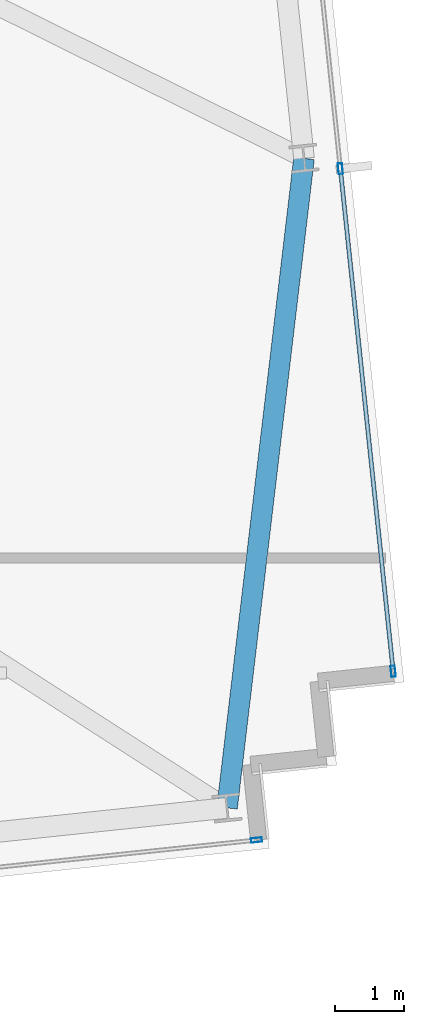
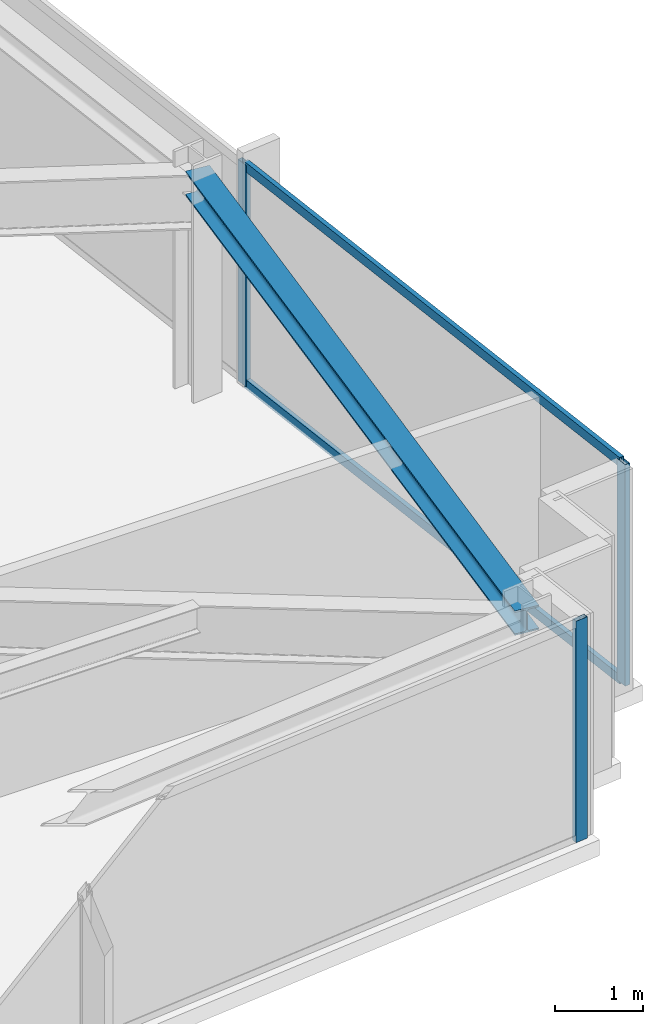
# One storey, part 17 of 33: 5 members, 1 beam, 2 elements without a shape of their own.
"""IFC4 building model written with IfcOpenShell, lengths in metres."""

from ifc_helpers import new_model, si_unit, direction, frame, origin, origin_2d, place, context, subcontext, project, spatial, hollow_rectangle, i_section, extrude, material, material_profile, profile_set, type_object, element, aggregate, save


model = new_model("IFC4")

# Units and contexts
model_context = context("Model", 3, precision=1e-05, world=origin(), true_north=direction((0.0, 1.0)))
body_context = subcontext(model_context, "Body", "Model", "MODEL_VIEW")
ifc_project = project(units=[si_unit("LENGTHUNIT", "METRE"), si_unit("AREAUNIT", "SQUARE_METRE"), si_unit("VOLUMEUNIT", "CUBIC_METRE"), si_unit("PLANEANGLEUNIT", "RADIAN"), si_unit("MASSUNIT", "GRAM", prefix="KILO")], contexts=[model_context])

# Site, building, storey
site_placement = place(None, origin())
site = spatial("IfcSite", under=ifc_project, at=site_placement, CompositionType="ELEMENT")
building_placement = place(site_placement, origin())
building = spatial("IfcBuilding", under=site, at=building_placement, Name="Yelkora Congress Tower", CompositionType="ELEMENT")
storey_placement = place(building_placement, frame((0.0, 0.0, 227.60009765625)))
storey = spatial("IfcBuildingStorey", under=building, at=storey_placement, Name="L63", CompositionType="ELEMENT", Elevation=227.60009765625)

# Beam
ifc_material_1 = material(Name="Steel S355J2", Category="steel")
ifc_material_profile_1 = material_profile(ifc_material_1, i_section(OverallWidth=0.300048828125, OverallDepth=0.340087890625, WebThickness=0.011962890625, FlangeThickness=0.021484375, FilletRadius=0.027099609375, at=origin_2d()), Name="HEB 340")
ifc_profile_set_1 = profile_set([ifc_material_profile_1], Name="Steel S355J2")
beam_type = type_object("IfcBeamType", Name="BM-SPAN-HEB340", PredefinedType="SPANDREL", material=ifc_profile_set_1)
beam_placement = place(storey_placement, frame((69.235107421875, 17.716796875, 2.909912109375), z_axis=(0.11765897357, 0.993054059928, 0.0), x_axis=(-0.993054059928, 0.11765897357, 0.0)))
element("IfcBeam", 1, at=beam_placement, inside=storey, type_object=beam_type, Name="L63 Perimeter Beam 9", PredefinedType="SPANDREL", context=body_context, shape_type="SweptSolid", body=[
    extrude(i_section(OverallWidth=0.300048828125, OverallDepth=0.340087890625, WebThickness=0.011962890625, FlangeThickness=0.021484375, FilletRadius=0.027099609375, at=origin_2d()), origin(), (0.0, 0.0, 1.0), 9.509765625),
])

# Curtain wall, members
ifc_material_2 = material(Name="Anodised aluminium and insulated glass", Category="aluminium")
curtain_wall_type = type_object("IfcCurtainWallType", Name="CW-SYS-B4", PredefinedType="NOTDEFINED", material=ifc_material_2)
curtain_wall_1_placement = place(storey_placement, origin())
curtain_wall_1 = element("IfcCurtainWall", 2, at=curtain_wall_1_placement, inside=storey, type_object=curtain_wall_type, Name="L63 Unitised Curtain Wall 15", PredefinedType="NOTDEFINED")
ifc_material_3 = material(Name="Anodised aluminium 6063-T6", Category="aluminium")
ifc_material_profile_2 = material_profile(ifc_material_3, hollow_rectangle(XDim=0.06494140625, YDim=0.159912109375, WallThickness=0.00390625, at=origin_2d()), Name="ALU 65x160x4")
ifc_profile_set_2 = profile_set([ifc_material_profile_2], Name="Anodised aluminium 6063-T6")
member_type_1 = type_object("IfcMemberType", Name="MEM-ML-B4", PredefinedType="MULLION", material=ifc_profile_set_2)
member_1_placement = place(storey_placement, frame((70.882568359375, 27.009765625, 0.0), z_axis=(0.0, 0.0, 1.0), x_axis=(0.994522182968, 0.104525726898, 0.0)))
member_1 = element("IfcMember", 3, at=member_1_placement, type_object=member_type_1, Name="CW-B4 mullion 4", PredefinedType="MULLION", context=body_context, shape_type="SweptSolid", body=[
    extrude(hollow_rectangle(XDim=0.06494140625, YDim=0.159912109375, WallThickness=0.00390625, at=origin_2d()), origin(), (0.0, 0.0, 1.0), 3.079833984375),
])
member_2_placement = place(storey_placement, frame((71.650634765625, 19.70263671875, 0.0), z_axis=(0.0, 0.0, 1.0), x_axis=(0.994522182968, 0.104525726898, 0.0)))
member_2 = element("IfcMember", 4, at=member_2_placement, type_object=member_type_1, Name="CW-B4 mullion 5", PredefinedType="MULLION", context=body_context, shape_type="SweptSolid", body=[
    extrude(hollow_rectangle(XDim=0.06494140625, YDim=0.159912109375, WallThickness=0.00390625, at=origin_2d()), origin(), (0.0, 0.0, 1.0), 3.079833984375),
])

# Curtain wall, member
curtain_wall_2_placement = place(storey_placement, origin())
curtain_wall_2 = element("IfcCurtainWall", 5, at=curtain_wall_2_placement, inside=storey, type_object=curtain_wall_type, Name="L63 Unitised Curtain Wall 20", PredefinedType="NOTDEFINED")
member_3_placement = place(storey_placement, frame((69.663818359375, 17.2490234375, 0.0), z_axis=(0.0, 0.0, 1.0), x_axis=(0.104526664994, -0.994522084373, 0.0)))
member_3 = element("IfcMember", 6, at=member_3_placement, type_object=member_type_1, Name="CW-B4 mullion 1", PredefinedType="MULLION", context=body_context, shape_type="SweptSolid", body=[
    extrude(hollow_rectangle(XDim=0.06494140625, YDim=0.159912109375, WallThickness=0.00390625, at=origin_2d()), origin(), (0.0, 0.0, 1.0), 3.079833984375),
])
aggregate(curtain_wall_2, [member_3])

# Member
ifc_material_profile_3 = material_profile(ifc_material_3, hollow_rectangle(XDim=0.06005859375, YDim=0.1298828125, WallThickness=0.00390625, at=origin_2d()), Name="ALU 60x130x4")
ifc_profile_set_3 = profile_set([ifc_material_profile_3], Name="Anodised aluminium 6063-T6")
member_type_2 = type_object("IfcMemberType", Name="MEM-TR-B4", PredefinedType="USERDEFINED", material=ifc_profile_set_3)
member_4_placement = place(storey_placement, frame((70.885986328125, 26.9775390625, 0.02978515625), z_axis=(0.104527725728, -0.994521972886, 0.0), x_axis=(0.994521972886, 0.104527725728, 0.0)))
member_4 = element("IfcMember", 7, at=member_4_placement, type_object=member_type_2, Name="CW-B4 transom 4.1", ObjectType="TRANSOM", PredefinedType="USERDEFINED", context=body_context, shape_type="SweptSolid", body=[
    extrude(hollow_rectangle(XDim=0.06005859375, YDim=0.1298828125, WallThickness=0.00390625, at=origin_2d()), origin(), (0.0, 0.0, 1.0), 7.282470703125),
])

member_5_placement = place(storey_placement, frame((70.885986328125, 26.9775390625, 3.0498046875), z_axis=(0.104527725728, -0.994521972886, 0.0), x_axis=(0.994521972886, 0.104527725728, 0.0)))
member_5 = element("IfcMember", 8, at=member_5_placement, type_object=member_type_2, Name="CW-B4 transom 4.2", ObjectType="TRANSOM", PredefinedType="USERDEFINED", context=body_context, shape_type="SweptSolid", body=[
    extrude(hollow_rectangle(XDim=0.06005859375, YDim=0.1298828125, WallThickness=0.00390625, at=origin_2d()), origin(), (0.0, 0.0, 1.0), 7.282470703125),
])

aggregate(curtain_wall_1, [member_1, member_2, member_4, member_5])

save(model, "model.ifc")
